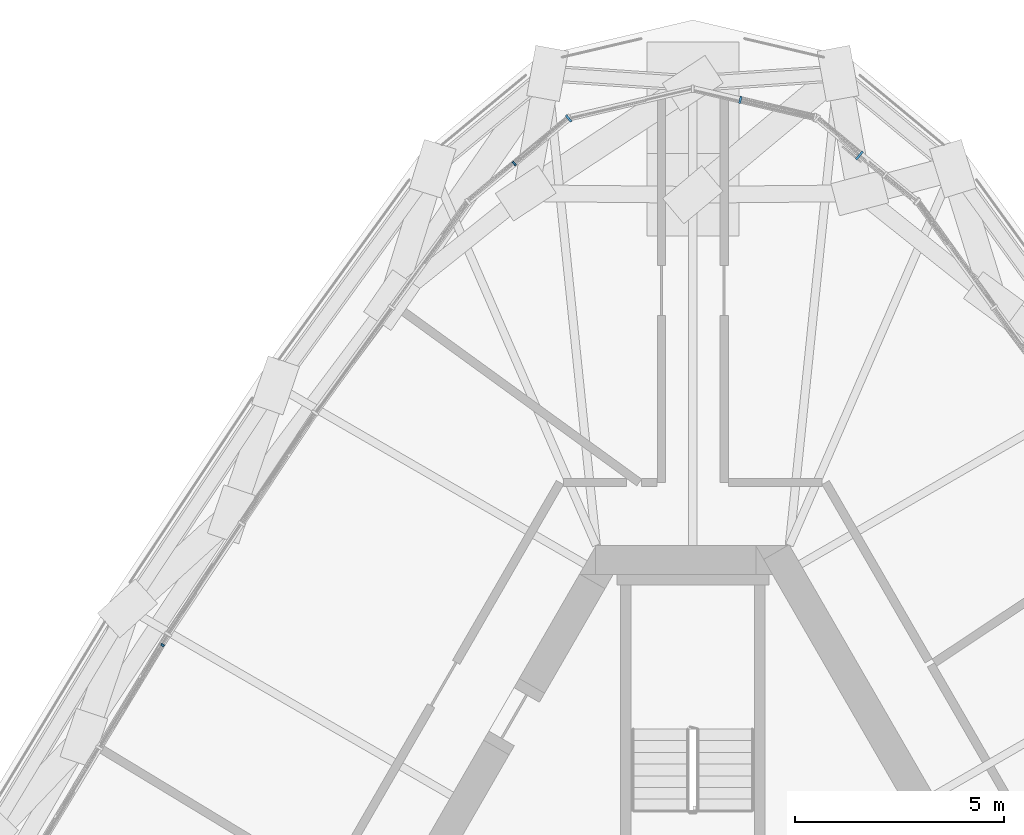
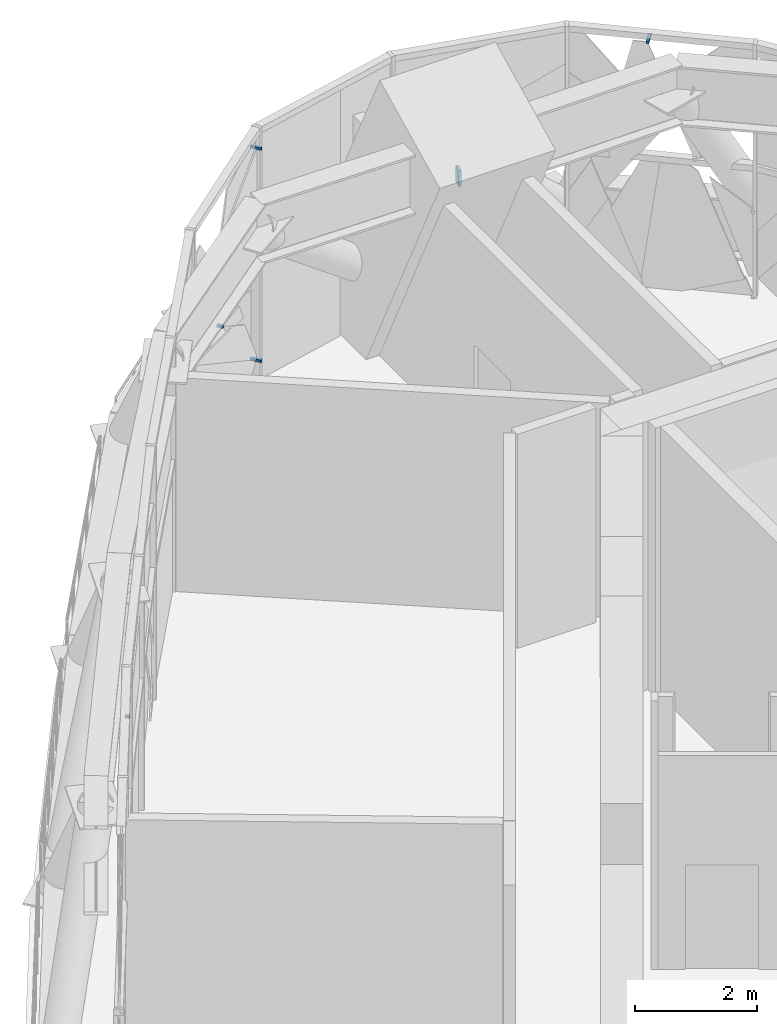
# One storey, part 28 of 33: 6 discrete accessories, 2 elements without a shape of their own.
"""IFC4 building model written with IfcOpenShell, lengths in metres."""

from ifc_helpers import new_model, si_unit, direction, frame, origin, origin_2d, place, context, subcontext, project, spatial, rectangle, extrude, material, layer, layer_set, type_object, element, aggregate, save


model = new_model("IFC4")

# Units and contexts
model_context = context("Model", 3, precision=1e-05, world=origin(), true_north=direction((0.0, 1.0)))
body_context = subcontext(model_context, "Body", "Model", "MODEL_VIEW")
ifc_project = project(units=[si_unit("LENGTHUNIT", "METRE"), si_unit("AREAUNIT", "SQUARE_METRE"), si_unit("VOLUMEUNIT", "CUBIC_METRE"), si_unit("PLANEANGLEUNIT", "RADIAN"), si_unit("MASSUNIT", "GRAM", prefix="KILO")], contexts=[model_context])

# Site, building, storey
site_placement = place(None, origin())
site = spatial("IfcSite", under=ifc_project, at=site_placement, CompositionType="ELEMENT")
building_placement = place(site_placement, origin())
building = spatial("IfcBuilding", under=site, at=building_placement, Name="Mestral Congress Tower", CompositionType="ELEMENT")
storey_placement = place(building_placement, frame((0.0, 0.0, 256.199951171875)))
storey = spatial("IfcBuildingStorey", under=building, at=storey_placement, Name="L60", CompositionType="ELEMENT", Elevation=256.199951171875)

# Curtain wall, discrete accessory
ifc_material_1 = material(Name="Clear low-emissivity double glazing", Category="glass")
curtain_wall_type = type_object("IfcCurtainWallType", Name="Facade refuge band screen", PredefinedType="USERDEFINED", material=ifc_material_1)
placement = place(storey_placement, origin())
curtain_wall_1 = element("IfcCurtainWall", 1, at=placement, inside=storey, type_object=curtain_wall_type, Name="Facade refuge band screen face 3", ObjectType="CURTAIN WALL", PredefinedType="USERDEFINED")
ifc_material_2 = material(Name="Steel S355", Category="steel")
ifc_layer = layer(ifc_material_2, 0.050048828125)
ifc_layer_set = layer_set([ifc_layer], Name="Steel S355")
discrete_accessory_type = type_object("IfcDiscreteAccessoryType", Name="Facade bracket", PredefinedType="BRACKET", material=ifc_layer_set)
discrete_accessory_1_placement = place(storey_placement, frame((-12.67529296875, 14.313720703125, 4.26318359375), z_axis=(0.0, 0.0, 1.0), x_axis=(-0.517859795543, -0.855465506119, 0.0)))
discrete_accessory_1 = element("IfcDiscreteAccessory", 2, at=discrete_accessory_1_placement, type_object=discrete_accessory_type, Name="Facade bracket", PredefinedType="BRACKET", context=body_context, shape_type="SweptSolid", body=[
    extrude(rectangle(XDim=0.050048828125, YDim=0.080810546875, at=origin_2d()), origin(), (0.0, 0.0, 1.0), 0.050048828125),
])
aggregate(curtain_wall_1, [discrete_accessory_1])

# Curtain wall, discrete accessories
curtain_wall_2 = element("IfcCurtainWall", 3, at=placement, inside=storey, type_object=curtain_wall_type, Name="Facade refuge band screen corner 2", ObjectType="CURTAIN WALL", PredefinedType="USERDEFINED")
discrete_accessory_2_placement = place(storey_placement, frame((-2.969482421875, 26.902099609375, 4.66162109375), z_axis=(0.0, 0.0, 1.0), x_axis=(-0.76995000992, -0.638104209534, 0.0)))
discrete_accessory_2 = element("IfcDiscreteAccessory", 4, at=discrete_accessory_2_placement, type_object=discrete_accessory_type, Name="Facade bracket", PredefinedType="BRACKET", context=body_context, shape_type="SweptSolid", body=[
    extrude(rectangle(XDim=0.050048828125, YDim=0.199951171875, at=origin_2d()), origin(), (0.0, 0.0, 1.0), 0.050048828125),
])
discrete_accessory_3_placement = place(storey_placement, frame((3.981689453125, 26.018310546875, 4.955078125), z_axis=(0.0, 0.0, 1.0), x_axis=(-0.769882069738, 0.63818617871, 0.0)))
discrete_accessory_3 = element("IfcDiscreteAccessory", 5, at=discrete_accessory_3_placement, type_object=discrete_accessory_type, Name="Facade bracket", PredefinedType="BRACKET", context=body_context, shape_type="SweptSolid", body=[
    extrude(rectangle(XDim=0.050048828125, YDim=0.242919921875, at=origin_2d()), origin(), (0.0, 0.0, 1.0), 0.050048828125),
])
discrete_accessory_4_placement = place(storey_placement, frame((1.13623046875, 27.34619140625, 2.251953125), z_axis=(0.0, 0.0, 1.0), x_axis=(-0.973514299271, 0.228626133929, 0.0)))
discrete_accessory_4 = element("IfcDiscreteAccessory", 6, at=discrete_accessory_4_placement, type_object=discrete_accessory_type, Name="Facade bracket", PredefinedType="BRACKET", context=body_context, shape_type="SweptSolid", body=[
    extrude(rectangle(XDim=0.050048828125, YDim=0.169921875, at=origin_2d()), origin(), (0.0, 0.0, 1.0), 0.313232421875),
])
discrete_accessory_5_placement = place(storey_placement, frame((-4.26953125, 25.8251953125, 2.18310546875), z_axis=(0.0, 0.0, 1.0), x_axis=(-0.769964487847, -0.638086739758, 0.0)))
discrete_accessory_5 = element("IfcDiscreteAccessory", 7, at=discrete_accessory_5_placement, type_object=discrete_accessory_type, Name="Facade bracket", PredefinedType="BRACKET", context=body_context, shape_type="SweptSolid", body=[
    extrude(rectangle(XDim=0.050048828125, YDim=0.106689453125, at=origin_2d()), origin(), (0.0, 0.0, 1.0), 0.050048828125),
])
discrete_accessory_6_placement = place(storey_placement, frame((-2.969482421875, 26.90234375, 0.3984375), z_axis=(0.0, 0.0, 1.0), x_axis=(-0.769939986507, -0.638116303802, 0.0)))
discrete_accessory_6 = element("IfcDiscreteAccessory", 8, at=discrete_accessory_6_placement, type_object=discrete_accessory_type, Name="Facade bracket", PredefinedType="BRACKET", context=body_context, shape_type="SweptSolid", body=[
    extrude(rectangle(XDim=0.050048828125, YDim=0.199951171875, at=origin_2d()), origin(), (0.0, 0.0, 1.0), 0.050048828125),
])
aggregate(curtain_wall_2, [discrete_accessory_2, discrete_accessory_3, discrete_accessory_4, discrete_accessory_5, discrete_accessory_6])

save(model, "model.ifc")
